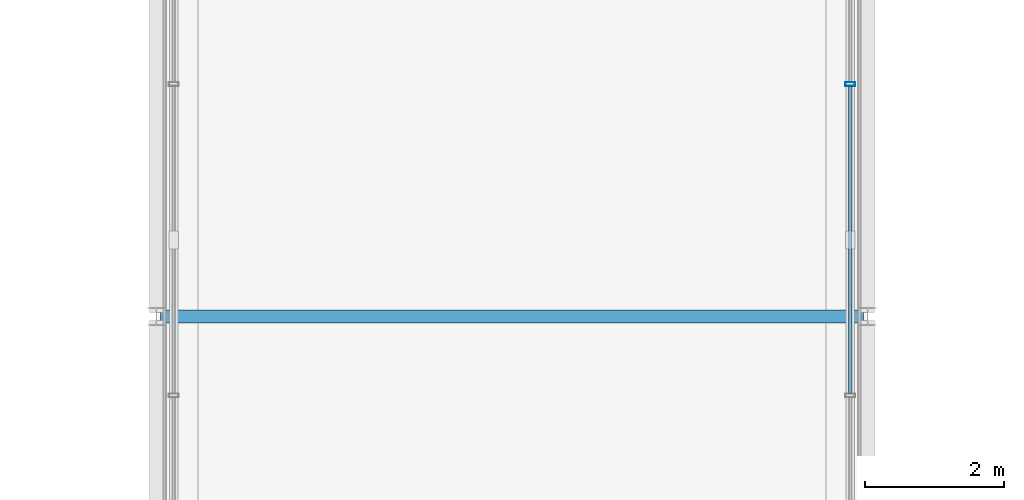
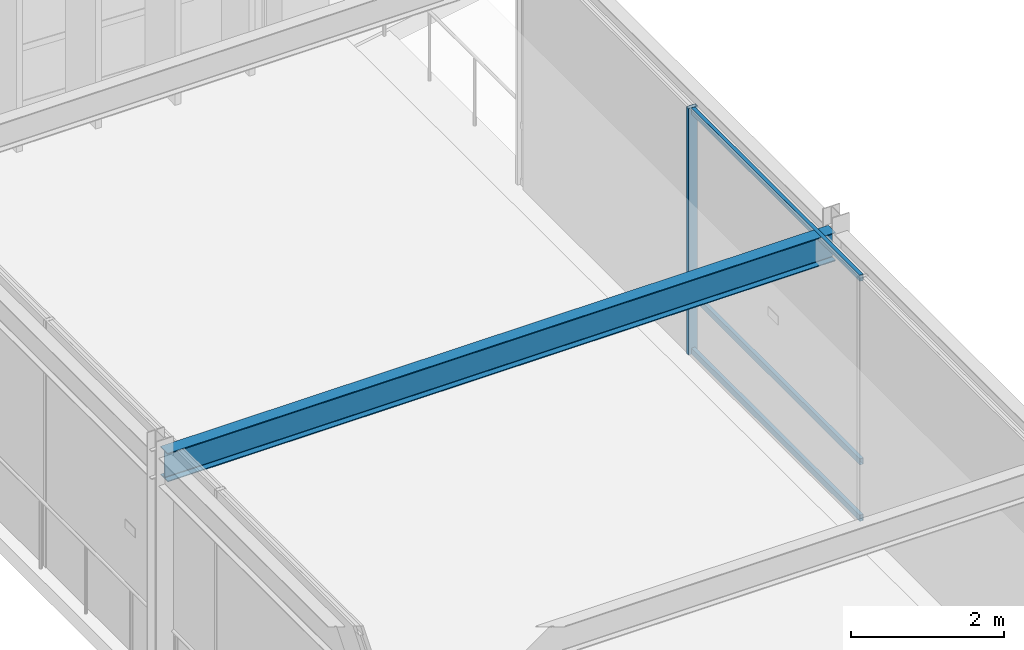
# One storey, part 36 of 152: 4 members, 1 beam, 1 element without a shape of its own.
"""IFC4 building model written with IfcOpenShell, lengths in metres."""

import ifcopenshell
import ifcopenshell.guid

model = None  # the IFC model being written
_history = None  # IfcOwnerHistory: only IFC2X3 demands one
_inside = {}  # id of a spatial element -> (the spatial element, [elements in it])
_under = {}  # id of a project, library or spatial element -> (it, [spatial elements below it])
_declared = {}  # id of a project -> (the project, [libraries it declares])
_typed = {}  # id of a type object -> (the type object, [elements of that type])
_made_of = {}  # id of a material, layer set ... -> (it, [elements and type objects made of it])


def new_model(schema):
    """Start an empty IFC model of exactly this schema.

    Asked for "IFC4X3", IfcOpenShell would pick the latest addendum, in which some entities
    have other attributes; the version numbers below select the first issue.
    IFC2X3 requires an IfcOwnerHistory on every rooted entity: one is made here for all.
    """
    global model, _history
    if schema == "IFC4X3":
        model = ifcopenshell.file(schema_version=(4, 3, 0, 0))
    else:
        model = ifcopenshell.file(schema=schema)
    _inside.clear()
    _under.clear()
    _declared.clear()
    _typed.clear()
    _made_of.clear()
    _history = None
    if model.schema == "IFC2X3":
        org = make("IfcOrganization", Name="unknown")
        user = make(
            "IfcPersonAndOrganization",
            ThePerson=make("IfcPerson", FamilyName="unknown"),
            TheOrganization=org,
        )
        app = make(
            "IfcApplication",
            ApplicationDeveloper=org,
            Version="unknown",
            ApplicationFullName="unknown",
            ApplicationIdentifier="unknown",
        )
        _history = make(
            "IfcOwnerHistory",
            OwningUser=user,
            OwningApplication=app,
            ChangeAction="ADDED",
            CreationDate=0,
        )
    return model


def make(cls, **values):
    """One entity of the class cls with the attributes given. An attribute that is None is left unset."""
    return model.create_entity(
        cls, **{name: value for name, value in values.items() if value is not None}
    )


def rooted(cls, **values):
    """An entity with a GlobalId (a new one), such as an element, a storey or a relation."""
    return make(cls, GlobalId=ifcopenshell.guid.new(), OwnerHistory=_history, **values)


def si_unit(unit_type, name, prefix=None):
    """IfcSIUnit, for example si_unit("LENGTHUNIT", "METRE", prefix="MILLI")."""
    return make("IfcSIUnit", UnitType=unit_type, Prefix=prefix, Name=name)


def assignment(units):
    """IfcUnitAssignment: the units of a project."""
    return None if units is None else make("IfcUnitAssignment", Units=units)


def point(xyz):
    """IfcCartesianPoint."""
    return None if xyz is None else make("IfcCartesianPoint", Coordinates=xyz)


def direction(xyz):
    """IfcDirection."""
    return None if xyz is None else make("IfcDirection", DirectionRatios=xyz)


def frame(location, z_axis=None, x_axis=None):
    """IfcAxis2Placement3D, a coordinate frame: its origin and axes. An axis left out is left unset."""
    return make(
        "IfcAxis2Placement3D",
        Location=point(location),
        Axis=direction(z_axis),
        RefDirection=direction(x_axis),
    )


def frame_2d(location, x_axis=None):
    """IfcAxis2Placement2D, a coordinate frame in the plane: its origin and x axis."""
    return make(
        "IfcAxis2Placement2D", Location=point(location), RefDirection=direction(x_axis)
    )


def origin():
    """The frame at (0, 0, 0) with its axes left unset."""
    return frame((0.0, 0.0, 0.0))


def origin_2d():
    """The frame at (0, 0) in the plane with its x axis left unset."""
    return frame_2d((0.0, 0.0))


def place(relative_to, where):
    """IfcLocalPlacement: puts the frame where relative to a parent placement (None: the world)."""
    return make(
        "IfcLocalPlacement", PlacementRelTo=relative_to, RelativePlacement=where
    )


def context(
    kind, dimensions, precision=None, world=None, true_north=None, identifier=None
):
    """IfcGeometricRepresentationContext, for example the 3D "Model" context."""
    return make(
        "IfcGeometricRepresentationContext",
        ContextIdentifier=identifier,
        ContextType=kind,
        CoordinateSpaceDimension=dimensions,
        Precision=precision,
        WorldCoordinateSystem=world,
        TrueNorth=true_north,
    )


def subcontext(parent, identifier, kind, view, scale=None):
    """IfcGeometricRepresentationSubContext, for example "Body" below "Model"."""
    return make(
        "IfcGeometricRepresentationSubContext",
        ContextIdentifier=identifier,
        ContextType=kind,
        ParentContext=parent,
        TargetScale=scale,
        TargetView=view,
    )


def project(units=None, contexts=None):
    """IfcProject with its units and contexts."""
    return rooted(
        "IfcProject",
        Name="project",
        RepresentationContexts=contexts,
        UnitsInContext=assignment(units),
    )


def spatial(cls, under=None, at=None, **own):
    """A site, building, storey or space (cls), placed at a placement, below another one or the project."""
    s = rooted(cls, ObjectPlacement=at, **own)
    if under is not None:
        _under.setdefault(under.id(), (under, []))[1].append(s)
    return s


def profile(cls, at=None, kind="AREA", **sizes):
    """A parametric profile (cls). Its sizes go by their IFC names, for example OverallWidth=200.0."""
    return make(cls, ProfileType=kind, Position=at, **sizes)


def hollow_rectangle(**sizes):
    """IfcRectangleHollowProfileDef."""
    return profile("IfcRectangleHollowProfileDef", **sizes)


def i_section(**sizes):
    """IfcIShapeProfileDef."""
    return profile("IfcIShapeProfileDef", **sizes)


def extrude(swept, where, along, depth):
    """IfcExtrudedAreaSolid: the profile swept, set in the frame where, extruded along a direction by depth."""
    return make(
        "IfcExtrudedAreaSolid",
        SweptArea=swept,
        Position=where,
        ExtrudedDirection=direction(along),
        Depth=depth,
    )


def shape(context_of_items, identifier, shape_type, items):
    """IfcShapeRepresentation: the items that make up one representation, for example the "Body"."""
    return make(
        "IfcShapeRepresentation",
        ContextOfItems=context_of_items,
        RepresentationIdentifier=identifier,
        RepresentationType=shape_type,
        Items=items,
    )


def material(Name=None, Category=None):
    """IfcMaterial."""
    return make("IfcMaterial", Name=Name, Category=Category)


def material_profile(
    of_material, cross_section, Name=None, Category=None, Priority=None
):
    """IfcMaterialProfile: a cross section and its material."""
    return make(
        "IfcMaterialProfile",
        Name=Name,
        Material=of_material,
        Profile=cross_section,
        Priority=Priority,
        Category=Category,
    )


def profile_set(profiles, Name=None, composite=None):
    """IfcMaterialProfileSet."""
    return make(
        "IfcMaterialProfileSet",
        Name=Name,
        MaterialProfiles=profiles,
        CompositeProfile=composite,
    )


def made_of(thing, what):
    """Note that an element or type object is made of a material, layer set ...; save() writes the relation."""
    if what is not None:
        _made_of.setdefault(what.id(), (what, []))[1].append(thing)
    return thing


def type_object(cls, material=None, **own):
    """A type object (cls), such as IfcWallType, which elements share."""
    return made_of(rooted(cls, **own), material)


def element(
    cls,
    number,
    at=None,
    inside=None,
    cuts=None,
    type_object=None,
    material=None,
    context=None,
    identifier="Body",
    shape_type=None,
    held_by="IfcProductDefinitionShape",
    body=None,
    shapes=None,
    **own,
):
    """One element of the class cls, such as IfcWall. Its Tag is "e" and its number.

    at: its placement. inside: the storey or other place that contains it. cuts: it is an
    opening in that element (IfcRelVoidsElement). A single representation is given by context,
    identifier, shape_type and body (its items); several are given by shapes. held_by: the class
    of the entity that holds the representations. save() writes the other relations.
    """
    e = rooted(cls, Tag="e%d" % number, ObjectPlacement=at, **own)
    if body is not None:
        shapes = [shape(context, identifier, shape_type, body)]
    if shapes is not None:
        e.Representation = make(held_by, Representations=shapes)
    if inside is not None:
        _inside.setdefault(inside.id(), (inside, []))[1].append(e)
    if cuts is not None:
        rooted(
            "IfcRelVoidsElement", RelatingBuildingElement=cuts, RelatedOpeningElement=e
        )
    if type_object is not None:
        _typed.setdefault(type_object.id(), (type_object, []))[1].append(e)
    return made_of(e, material)


def aggregate(whole, parts):
    """IfcRelAggregates: a whole, such as a stair, and the parts it consists of."""
    return rooted("IfcRelAggregates", RelatingObject=whole, RelatedObjects=parts)


def save(model, path):
    """Write the relations noted so far, then the file.

    IfcRelAggregates (storeys below a building ...), IfcRelContainedInSpatialStructure (elements
    in a storey), IfcRelDefinesByType, IfcRelAssociatesMaterial and IfcRelDeclares: one each for
    every whole, place, type object, material and project.
    """
    for whole, parts in _under.values():
        aggregate(whole, parts)
    for where, things in _inside.values():
        rooted(
            "IfcRelContainedInSpatialStructure",
            RelatedElements=things,
            RelatingStructure=where,
        )
    for kind, things in _typed.values():
        rooted("IfcRelDefinesByType", RelatedObjects=things, RelatingType=kind)
    for what, things in _made_of.values():
        rooted("IfcRelAssociatesMaterial", RelatedObjects=things, RelatingMaterial=what)
    for by, libraries in _declared.values():
        rooted("IfcRelDeclares", RelatingContext=by, RelatedDefinitions=libraries)
    model.write(path)


model = new_model("IFC4")

# Units and contexts
model_context = context("Model", 3, precision=1e-05, world=origin(), true_north=direction((0.0, 1.0)))
body_context = subcontext(model_context, "Body", "Model", "MODEL_VIEW")
ifc_project = project(units=[si_unit("LENGTHUNIT", "METRE"), si_unit("AREAUNIT", "SQUARE_METRE"), si_unit("VOLUMEUNIT", "CUBIC_METRE"), si_unit("PLANEANGLEUNIT", "RADIAN"), si_unit("MASSUNIT", "GRAM", prefix="KILO"), si_unit("THERMODYNAMICTEMPERATUREUNIT", "KELVIN"), si_unit("POWERUNIT", "WATT")], contexts=[model_context])

# Site, building, storey
site_placement = place(None, origin())
site = spatial("IfcSite", under=ifc_project, at=site_placement, CompositionType="ELEMENT")
building_placement = place(site_placement, origin())
building = spatial("IfcBuilding", under=site, at=building_placement, Name="Darbajah Civic Hall", CompositionType="ELEMENT")
storey_placement = place(building_placement, frame((0.0, 0.0, 5.39990234375)))
storey = spatial("IfcBuildingStorey", under=building, at=storey_placement, Name="L01", CompositionType="ELEMENT", Elevation=5.39990234375)

# Curtain wall, members
ifc_material_1 = material(Name="Anodised Bronze Aluminium and Low-E Glazing", Category="aluminium")
curtain_wall_type = type_object("IfcCurtainWallType", Name="Unitised Curtain Wall CW-104 13400x3950", PredefinedType="USERDEFINED", material=ifc_material_1)
curtain_wall_placement = place(storey_placement, origin())
curtain_wall = element("IfcCurtainWall", 1, at=curtain_wall_placement, inside=storey, type_object=curtain_wall_type, Name="L01 unitised curtain wall CW-V6-PE-L01", ObjectType="UNITISED CURTAIN WALL", PredefinedType="USERDEFINED")
ifc_material_2 = material(Name="Anodised Bronze Aluminium", Category="aluminium")
ifc_material_profile_1 = material_profile(ifc_material_2, hollow_rectangle(XDim=0.054931640625, YDim=0.139892578125, WallThickness=0.003173828125, at=origin_2d()), Name="ALU MULLION 55x140")
ifc_profile_set_1 = profile_set([ifc_material_profile_1], Name="Anodised Bronze Aluminium")
member_type_1 = type_object("IfcMemberType", Name="ALU MULLION 55x140", PredefinedType="MULLION", material=ifc_profile_set_1)
member_1_placement = place(storey_placement, frame((93.949951171875, 51.333251953125, 0.0), z_axis=(0.0, 0.0, 1.0), x_axis=(0.0, 1.0, 0.0)))
member_1 = element("IfcMember", 2, at=member_1_placement, type_object=member_type_1, Name="CW-V6-PE-L01 mullion 3", PredefinedType="MULLION", context=body_context, shape_type="SweptSolid", body=[
    extrude(hollow_rectangle(XDim=0.054931640625, YDim=0.139892578125, WallThickness=0.003173828125, at=origin_2d()), origin(), (0.0, 0.0, 1.0), 3.93017578125),
])
ifc_material_profile_2 = material_profile(ifc_material_2, hollow_rectangle(XDim=0.054931640625, YDim=0.10009765625, WallThickness=0.0029296875, at=origin_2d()), Name="ALU TRANSOM 55x100")
ifc_profile_set_2 = profile_set([ifc_material_profile_2], Name="Anodised Bronze Aluminium")
member_type_2 = type_object("IfcMemberType", Name="ALU TRANSOM 55x100", PredefinedType="USERDEFINED", material=ifc_profile_set_2)
member_2_placement = place(storey_placement, frame((93.949951171875, 46.899169921875, 0.050048828125), z_axis=(0.0, 1.0, 0.0), x_axis=(-1.0, 0.0, 0.0)))
member_2 = element("IfcMember", 3, at=member_2_placement, type_object=member_type_2, Name="CW-V6-PE-L01 transom 2.1", ObjectType="TRANSOM", PredefinedType="USERDEFINED", context=body_context, shape_type="SweptSolid", body=[
    extrude(hollow_rectangle(XDim=0.054931640625, YDim=0.10009765625, WallThickness=0.0029296875, at=origin_2d()), origin(), (0.0, 0.0, 1.0), 4.401611328125),
])
member_3_placement = place(storey_placement, frame((93.949951171875, 46.899169921875, 0.9501953125), z_axis=(0.0, 1.0, 0.0), x_axis=(-1.0, 0.0, 0.0)))
member_3 = element("IfcMember", 4, at=member_3_placement, type_object=member_type_2, Name="CW-V6-PE-L01 transom 2.2", ObjectType="TRANSOM", PredefinedType="USERDEFINED", context=body_context, shape_type="SweptSolid", body=[
    extrude(hollow_rectangle(XDim=0.054931640625, YDim=0.10009765625, WallThickness=0.0029296875, at=origin_2d()), origin(), (0.0, 0.0, 1.0), 4.401611328125),
])
member_4_placement = place(storey_placement, frame((93.949951171875, 46.899169921875, 3.880126953125), z_axis=(0.0, 1.0, 0.0), x_axis=(-1.0, 0.0, 0.0)))
member_4 = element("IfcMember", 5, at=member_4_placement, type_object=member_type_2, Name="CW-V6-PE-L01 transom 2.3", ObjectType="TRANSOM", PredefinedType="USERDEFINED", context=body_context, shape_type="SweptSolid", body=[
    extrude(hollow_rectangle(XDim=0.054931640625, YDim=0.10009765625, WallThickness=0.0029296875, at=origin_2d()), origin(), (0.0, 0.0, 1.0), 4.401611328125),
])
aggregate(curtain_wall, [member_1, member_2, member_3, member_4])

# Beam
ifc_material_3 = material(Name="Steel S355JR", Category="steel")
ifc_material_profile_3 = material_profile(ifc_material_3, i_section(OverallWidth=0.1904296875, OverallDepth=0.45703125, WebThickness=0.009033203125, FlangeThickness=0.014404296875, FilletRadius=0.01025390625, at=origin_2d()), Name="UB 457x191x74")
ifc_profile_set_3 = profile_set([ifc_material_profile_3], Name="Steel S355JR")
beam_type = type_object("IfcBeamType", Name="UB 457x191x74", PredefinedType="BEAM", material=ifc_profile_set_3)
beam_placement = place(storey_placement, frame((84.06005859375, 48.0, 3.70166015625), z_axis=(1.0, 0.0, 0.0), x_axis=(0.0, 1.0, 0.0)))
element("IfcBeam", 6, at=beam_placement, inside=storey, type_object=beam_type, Name="L01 beam SB-457", PredefinedType="BEAM", context=body_context, shape_type="SweptSolid", body=[
    extrude(i_section(OverallWidth=0.1904296875, OverallDepth=0.45703125, WebThickness=0.009033203125, FlangeThickness=0.014404296875, FilletRadius=0.01025390625, at=origin_2d()), origin(), (0.0, 0.0, 1.0), 10.079833984375),
])

save(model, "model.ifc")
